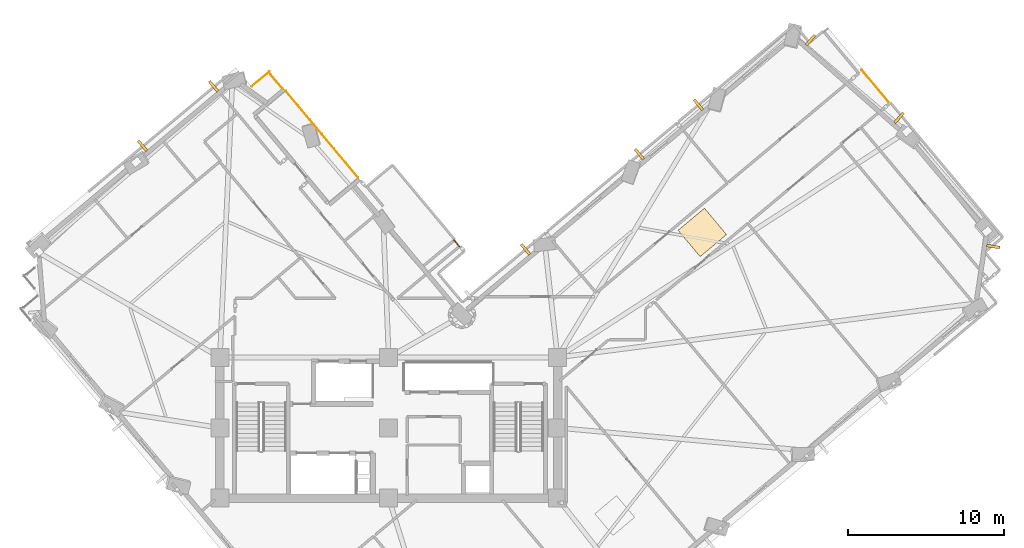
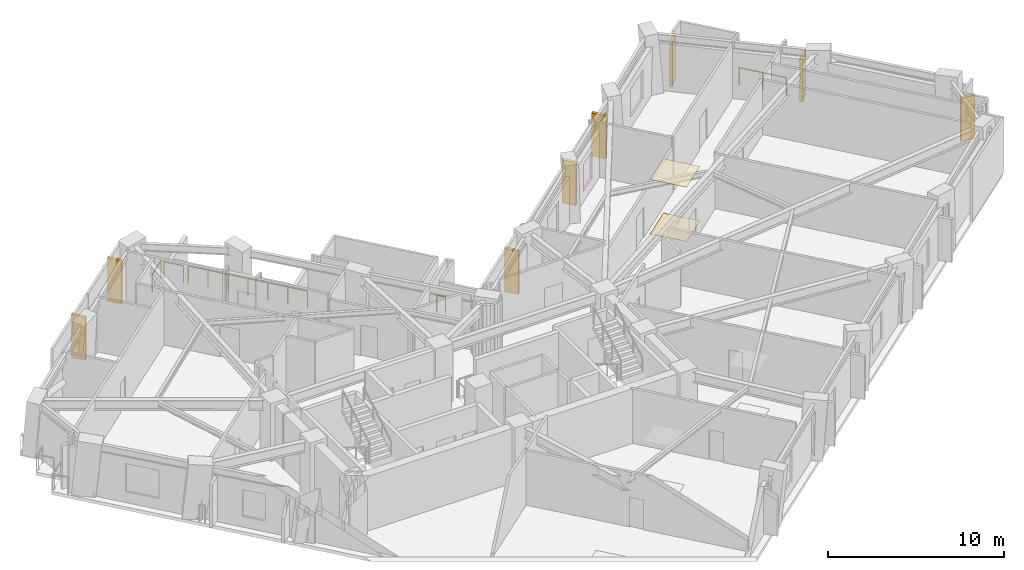
# One storey, part 13 of 14: 8 shading devices, 5 railings, 2 coverings.
"""IFC4 building model written with IfcOpenShell, lengths in metres."""

from ifc_helpers import new_model, si_unit, direction, frame, origin, origin_2d, place, context, subcontext, project, spatial, rectangle, circle, extrude, material, layer, layer_set, type_object, element, save


model = new_model("IFC4")

# Units and contexts
model_context = context("Model", 3, precision=1e-05, world=origin(), true_north=direction((0.0, 1.0)))
body_context = subcontext(model_context, "Body", "Model", "MODEL_VIEW")
ifc_project = project(units=[si_unit("LENGTHUNIT", "METRE"), si_unit("AREAUNIT", "SQUARE_METRE"), si_unit("VOLUMEUNIT", "CUBIC_METRE"), si_unit("PLANEANGLEUNIT", "RADIAN"), si_unit("MASSUNIT", "GRAM", prefix="KILO")], contexts=[model_context])

# Site, building, storey
site_placement = place(None, origin())
site = spatial("IfcSite", under=ifc_project, at=site_placement, CompositionType="ELEMENT")
building_placement = place(site_placement, origin())
building = spatial("IfcBuilding", under=site, at=building_placement, Name="Gaonmaruhae Medical Tower", CompositionType="ELEMENT")
storey_placement = place(building_placement, frame((0.0, 0.0, 193.800048828125)))
storey = spatial("IfcBuildingStorey", under=building, at=storey_placement, Name="L46", CompositionType="ELEMENT", Elevation=193.800048828125)

# Coverings
ifc_material_1 = material(Name="Acoustic mineral ceiling tile", Category="finish")
ifc_layer_1 = layer(ifc_material_1, 0.02490234375)
ifc_layer_set_1 = layer_set([ifc_layer_1], Name="Acoustic mineral ceiling tile")
covering_type_1 = type_object("IfcCoveringType", Name="CLG-01 Antimicrobial Acoustic Mineral Ceiling", PredefinedType="CEILING", material=ifc_layer_set_1)
covering_1_placement = place(storey_placement, frame((44.858154296875, 24.79541015625, 3.7548828125), z_axis=(0.0, 0.0, 1.0), x_axis=(0.767165151815, 0.641449631569, 0.0)))
element("IfcCovering", 1, at=covering_1_placement, inside=storey, type_object=covering_type_1, Name="L46 Clinical Corridor Acoustic Ceiling", PredefinedType="CEILING", context=body_context, shape_type="SweptSolid", body=[
    extrude(rectangle(XDim=2.199951171875, YDim=2.199951171875, at=origin_2d()), origin(), (0.0, 0.0, 1.0), 0.02490234375),
])
ifc_material_2 = material(Name="Seamless clinical vinyl flooring", Category="finish")
ifc_layer_2 = layer(ifc_material_2, 0.014892578125)
ifc_layer_set_2 = layer_set([ifc_layer_2], Name="Seamless clinical vinyl flooring")
covering_type_2 = type_object("IfcCoveringType", Name="FLR-01 Seamless Clinical Antistatic Vinyl Flooring", PredefinedType="FLOORING", material=ifc_layer_set_2)
covering_2_placement = place(storey_placement, frame((44.858154296875, 24.79541015625, 0.00048828125), z_axis=(0.0, 0.0, 1.0), x_axis=(0.767165151815, 0.641449631569, 0.0)))
element("IfcCovering", 2, at=covering_2_placement, inside=storey, type_object=covering_type_2, Name="L46 Clinical Corridor Vinyl Flooring", PredefinedType="FLOORING", context=body_context, shape_type="SweptSolid", body=[
    extrude(rectangle(XDim=2.199951171875, YDim=2.199951171875, at=origin_2d()), origin(), (0.0, 0.0, 1.0), 0.014892578125),
])

# Railings
ifc_material_3 = material(Name="Stainless steel 316L and laminated safety glass", Category="steel")
ifc_layer_3 = layer(ifc_material_3, 0.080078125)
ifc_layer_set_3 = layer_set([ifc_layer_3], Name="Stainless steel 316L and laminated safety glass")
railing_type = type_object("IfcRailingType", Name="GD-120 Outdoor Terrace Safety Glass & Steel Balustrade", PredefinedType="BALUSTRADE", material=ifc_layer_set_3)
railing_1_placement = place(storey_placement, frame((22.839111328125, 28.316162109375, 0.0)))
element("IfcRailing", 3, at=railing_1_placement, inside=storey, type_object=railing_type, Name="L46 Terrace Safety Guard RL-SLB-L46-TER-02", PredefinedType="BALUSTRADE", context=body_context, shape_type="SweptSolid", body=[
    extrude(circle(Radius=0.02392578125, at=origin_2d()), frame((0.0, 0.0, 1.17578125), z_axis=(-0.6414576103, 0.76715848049, 0.0), x_axis=(-0.76715848049, -0.6414576103, 0.0)), (0.0, 0.0, 1.0), 7.199951171875),
    extrude(circle(Radius=0.02099609375, at=origin_2d()), origin(), (0.0, 0.0, 1.0), 1.15185546875),
    extrude(circle(Radius=0.02099609375, at=origin_2d()), frame((-0.769775390625, 0.920654296875, 0.0)), (0.0, 0.0, 1.0), 1.15185546875),
    extrude(circle(Radius=0.02099609375, at=origin_2d()), frame((-1.53955078125, 1.841064453125, 0.0)), (0.0, 0.0, 1.0), 1.15185546875),
    extrude(circle(Radius=0.02099609375, at=origin_2d()), frame((-2.30908203125, 2.76171875, 0.0)), (0.0, 0.0, 1.0), 1.15185546875),
    extrude(circle(Radius=0.02099609375, at=origin_2d()), frame((-3.078857421875, 3.682373046875, 0.0)), (0.0, 0.0, 1.0), 1.15185546875),
    extrude(circle(Radius=0.02099609375, at=origin_2d()), frame((-3.8486328125, 4.602783203125, 0.0)), (0.0, 0.0, 1.0), 1.15185546875),
    extrude(circle(Radius=0.02099609375, at=origin_2d()), frame((-4.618408203125, 5.5234375, 0.0)), (0.0, 0.0, 1.0), 1.15185546875),
])
railing_2_placement = place(storey_placement, frame((55.0595703125, 35.19384765625, 0.0)))
element("IfcRailing", 4, at=railing_2_placement, inside=storey, type_object=railing_type, Name="L46 Perimeter Slab Edge Safety Balustrade 02", PredefinedType="BALUSTRADE", context=body_context, shape_type="SweptSolid", body=[
    extrude(circle(Radius=0.02392578125, at=origin_2d()), frame((0.0, 0.0, 1.17578125), z_axis=(0.6413849526, -0.767219227195, 0.0), x_axis=(0.767219227195, 0.6413849526, 0.0)), (0.0, 0.0, 1.0), 2.83837890625),
    extrude(circle(Radius=0.02099609375, at=origin_2d()), origin(), (0.0, 0.0, 1.0), 1.15185546875),
    extrude(circle(Radius=0.02099609375, at=origin_2d()), frame((0.91015625, -1.0888671875, 0.0)), (0.0, 0.0, 1.0), 1.15185546875),
    extrude(circle(Radius=0.02099609375, at=origin_2d()), frame((1.820556640625, -2.177734375, 0.0)), (0.0, 0.0, 1.0), 1.15185546875),
])
railing_3_placement = place(storey_placement, frame((16.03955078125, 34.140869140625, 0.0)))
element("IfcRailing", 5, at=railing_3_placement, inside=storey, type_object=railing_type, Name="L46 Perimeter Slab Edge Safety Balustrade 09", PredefinedType="BALUSTRADE", context=body_context, shape_type="SweptSolid", body=[
    extrude(circle(Radius=0.02392578125, at=origin_2d()), frame((0.0, 0.0, 1.17578125), z_axis=(0.767247385477, 0.6413512684, 0.0), x_axis=(-0.6413512684, 0.767247385477, 0.0)), (0.0, 0.0, 1.0), 1.460205078125),
    extrude(circle(Radius=0.02099609375, at=origin_2d()), origin(), (0.0, 0.0, 1.0), 1.15185546875),
    extrude(circle(Radius=0.02099609375, at=origin_2d()), frame((1.120361328125, 0.9365234375, 0.0)), (0.0, 0.0, 1.0), 1.15185546875),
])
railing_4_placement = place(storey_placement, frame((17.243408203125, 34.8994140625, 0.0)))
element("IfcRailing", 6, at=railing_4_placement, inside=storey, type_object=railing_type, Name="L46 Perimeter Slab Edge Safety Balustrade 10", PredefinedType="BALUSTRADE", context=body_context, shape_type="SweptSolid", body=[
    extrude(circle(Radius=0.02392578125, at=origin_2d()), frame((0.0, 0.0, 1.17578125), z_axis=(0.641506493796, -0.767117604033, 0.0), x_axis=(0.767117604033, 0.641506493796, 0.0)), (0.0, 0.0, 1.0), 1.1796875),
    extrude(circle(Radius=0.02099609375, at=origin_2d()), origin(), (0.0, 0.0, 1.0), 1.15185546875),
    extrude(circle(Radius=0.02099609375, at=origin_2d()), frame((0.7568359375, -0.905029296875, 0.0)), (0.0, 0.0, 1.0), 1.15185546875),
])
railing_5_placement = place(storey_placement, frame((28.976318359375, 24.296875, 0.0)))
element("IfcRailing", 7, at=railing_5_placement, inside=storey, type_object=railing_type, Name="L46 Perimeter Slab Edge Safety Balustrade 11", PredefinedType="BALUSTRADE", context=body_context, shape_type="SweptSolid", body=[
    extrude(circle(Radius=0.02392578125, at=origin_2d()), frame((0.0, 0.0, 1.17578125), z_axis=(0.641384394883, -0.767219693439, 0.0), x_axis=(0.767219693439, 0.641384394883, 0.0)), (0.0, 0.0, 1.0), 0.52001953125),
    extrude(circle(Radius=0.02099609375, at=origin_2d()), origin(), (0.0, 0.0, 1.0), 1.15185546875),
    extrude(circle(Radius=0.02099609375, at=origin_2d()), frame((0.33349609375, -0.39892578125, 0.0)), (0.0, 0.0, 1.0), 1.15185546875),
])

# Shading devices
ifc_material_4 = material(Name="Pigmented coral precast concrete C45/55", Category="concrete")
shading_device_type = type_object("IfcShadingDeviceType", Name="SD-FIN1 Tower Vertical Coral Precast Shading Fin", PredefinedType="USERDEFINED", material=ifc_material_4)
for number, where, z_axis, x_axis, name in (
    (8, (63.470458984375, 23.892578125, 0.132568359375), (0.0, 0.0, 1.0), (-0.150432648562, -0.988620259881, 0.0), "L46 Vertical Coral Precast Shading Fin S07"),
    (9, (51.781982421875, 37.09814453125, 0.132568359375), (0.0, 0.0, 1.0), (0.751160451416, -0.660119668112, 0.0), "L46 Vertical Coral Precast Shading Fin E02"),
    (10, (57.444091796875, 32.122314453125, 0.132568359375), (0.0, 0.0, 1.0), (0.751160451416, -0.660119668112, 0.0), "L46 Vertical Coral Precast Shading Fin E02B"),
):
    element("IfcShadingDevice", number, at=place(storey_placement, frame(where, z_axis=z_axis, x_axis=x_axis)), inside=storey, type_object=shading_device_type, Name=name, ObjectType="FIN", PredefinedType="USERDEFINED", context=body_context, shape_type="SweptSolid", body=[
        extrude(rectangle(XDim=0.179931640625, YDim=0.85009765625, at=origin_2d()), origin(), (0.0, 0.0, 1.0), 3.0),
    ])
for number, where, z_axis, x_axis, name in (
    (11, (40.831298828125, 29.796875, 0.0400390625), (0.0, 0.0, 1.0), (0.767165151815, 0.641449631569, 0.0), "L46 Vertical Coral Precast Shading Fin EN01"),
    (12, (44.61083984375, 32.95703125, 0.0400390625), (0.0, 0.0, 1.0), (0.767165151815, 0.641449631569, 0.0), "L46 Vertical Coral Precast Shading Fin EN01B"),
):
    element("IfcShadingDevice", number, at=place(storey_placement, frame(where, z_axis=z_axis, x_axis=x_axis)), inside=storey, type_object=shading_device_type, Name=name, ObjectType="FIN", PredefinedType="USERDEFINED", context=body_context, shape_type="SweptSolid", body=[
        extrude(rectangle(XDim=0.179931640625, YDim=0.85009765625, at=origin_2d()), origin(), (0.0, 0.0, 1.0), 2.985107421875),
    ])
for number, where, z_axis, x_axis, name in (
    (13, (33.552490234375, 23.7109375, 0.132568359375), (0.0, 0.0, 1.0), (0.767165151815, 0.641449631569, 0.0), "L46 Vertical Coral Precast Shading Fin EN03B"),
    (14, (9.0498046875, 30.336181640625, 0.132568359375), (0.0, 0.0, 1.0), (0.767165151815, 0.641449631569, 0.0), "L46 Vertical Coral Precast Shading Fin N01"),
    (15, (13.599609375, 34.140380859375, 0.132568359375), (0.0, 0.0, 1.0), (0.767165151815, 0.641449631569, 0.0), "L46 Vertical Coral Precast Shading Fin N01B"),
):
    element("IfcShadingDevice", number, at=place(storey_placement, frame(where, z_axis=z_axis, x_axis=x_axis)), inside=storey, type_object=shading_device_type, Name=name, ObjectType="FIN", PredefinedType="USERDEFINED", context=body_context, shape_type="SweptSolid", body=[
        extrude(rectangle(XDim=0.179931640625, YDim=0.85009765625, at=origin_2d()), origin(), (0.0, 0.0, 1.0), 3.0),
    ])

save(model, "model.ifc")
